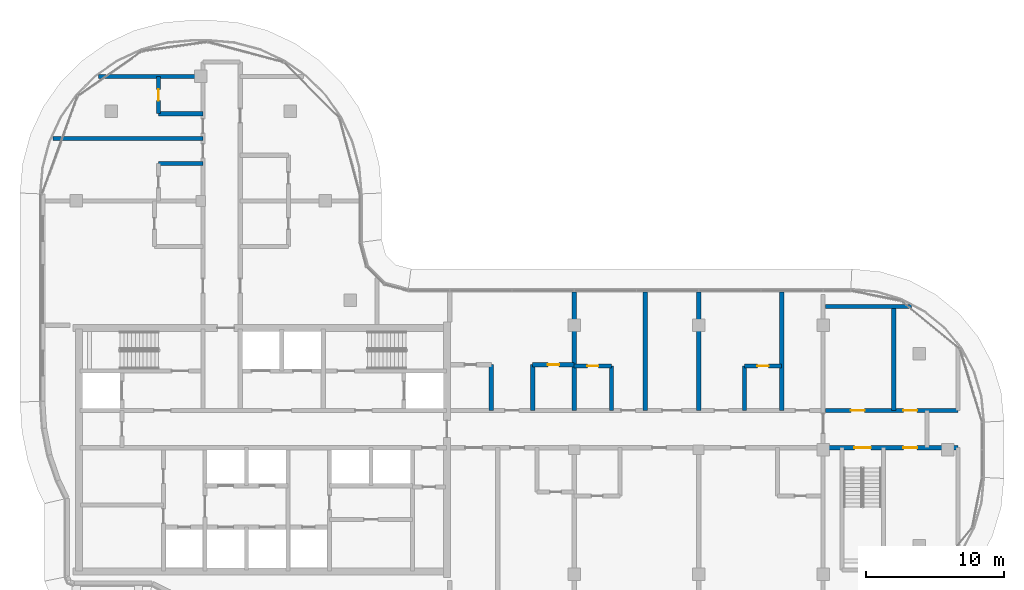
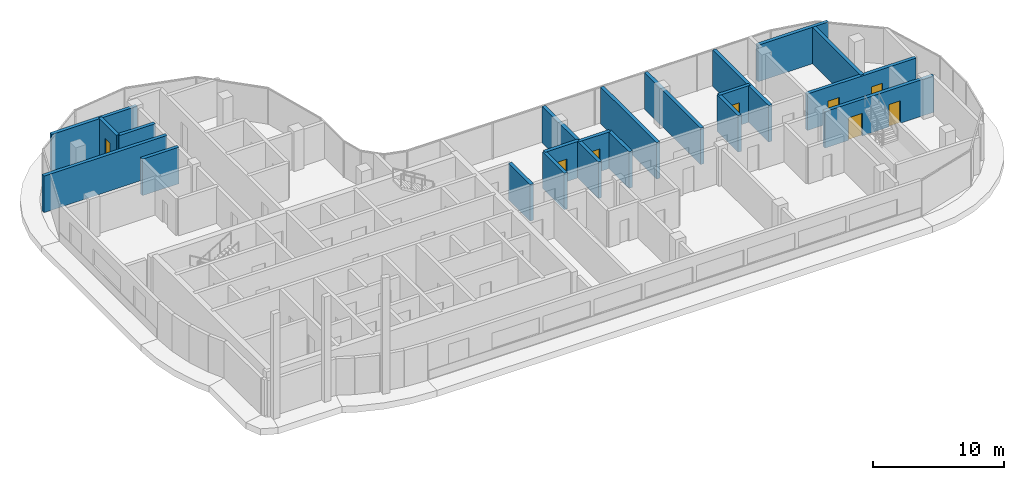
# One storey, part 12 of 20: 20 walls, 8 doors, 8 openings.
"""IFC4 building model written with IfcOpenShell, lengths in metres."""

from ifc_helpers import new_model, si_unit, direction, frame, frame_2d, origin, place, context, subcontext, project, spatial, rectangle, extrude, material, layer, layer_set, type_object, element, fill, save


model = new_model("IFC4")

# Units and contexts
model_context = context("Model", 3, precision=1e-05, world=origin(), true_north=direction((0.0, 1.0)))
body_context = subcontext(model_context, "Body", "Model", "MODEL_VIEW")
ifc_project = project(units=[si_unit("LENGTHUNIT", "METRE"), si_unit("AREAUNIT", "SQUARE_METRE"), si_unit("VOLUMEUNIT", "CUBIC_METRE"), si_unit("PLANEANGLEUNIT", "RADIAN"), si_unit("MASSUNIT", "GRAM", prefix="KILO")], contexts=[model_context])

# Site, building, storey
site_placement = place(None, origin())
site = spatial("IfcSite", under=ifc_project, at=site_placement, CompositionType="ELEMENT")
building_placement = place(site_placement, origin())
building = spatial("IfcBuilding", under=site, at=building_placement, Name="Ogive Portal Towers", CompositionType="ELEMENT")
storey_placement = place(building_placement, frame((0.0, 0.0, 232.800048828125)))
storey = spatial("IfcBuildingStorey", under=building, at=storey_placement, Name="L58", CompositionType="ELEMENT", Elevation=232.800048828125)

# Wall, openings, doors
ifc_material_1 = material(Name="Concrete C50/60", Category="concrete")
ifc_layer_1 = layer(ifc_material_1, 0.300048828125)
ifc_layer_set_1 = layer_set([ifc_layer_1], Name="STAIR WALL 300 C50")
wall_type_1 = type_object("IfcWallType", Name="STAIR WALL 300 C50", PredefinedType="SHEAR", material=ifc_layer_set_1)
wall_1_placement = place(storey_placement, frame((85.669921875, 30.64990234375, 0.0), z_axis=(0.0, 0.0, 1.0), x_axis=(1.0, 0.0, 0.0)))
wall_1 = element("IfcWall", 1, at=wall_1_placement, inside=storey, type_object=wall_type_1, Name="Stair wall ST-A4 L58", PredefinedType="SHEAR", context=body_context, shape_type="SweptSolid", body=[
    extrude(rectangle(XDim=9.580078125, YDim=0.300048828125, at=frame_2d((4.7900390625, 0.0))), origin(), (0.0, 0.0, 1.0), 3.39990234375),
])
opening_1_placement = place(wall_1_placement, frame((2.080078125, 0.0, 0.0)))
opening_1 = element("IfcOpeningElement", 2, at=opening_1_placement, cuts=wall_1, Name="Opening D26-052", PredefinedType="OPENING", context=body_context, shape_type="SweptSolid", body=[
    extrude(rectangle(XDim=1.199951171875, YDim=2.10009765625, at=frame_2d((0.60009765625, 1.050048828125))), frame((0.0, 0.16015625, 0.0), z_axis=(0.0, -1.0, 0.0), x_axis=(1.0, 0.0, 0.0)), (0.0, 0.0, 1.0), 0.320068359375),
])
opening_2_placement = place(wall_1_placement, frame((5.6298828125, 0.0, 0.0)))
opening_2 = element("IfcOpeningElement", 3, at=opening_2_placement, cuts=wall_1, Name="Opening D26-055", PredefinedType="OPENING", context=body_context, shape_type="SweptSolid", body=[
    extrude(rectangle(XDim=1.0, YDim=2.10009765625, at=frame_2d((0.5, 1.050048828125))), frame((0.0, 0.16015625, 0.0), z_axis=(0.0, -1.0, 0.0), x_axis=(1.0, 0.0, 0.0)), (0.0, 0.0, 1.0), 0.320068359375),
])
ifc_material_2 = material(Name="Steel fire door", Category="steel")
door_type_1 = type_object("IfcDoorType", Name="DT-SERVICE-1000x2100-FD90S", OperationType="SINGLE_SWING_LEFT", PredefinedType="DOOR", material=ifc_material_2)
door_1_placement = place(opening_2_placement, origin())
door_1 = element("IfcDoor", 4, at=door_1_placement, inside=storey, type_object=door_type_1, Name="Door D26-055", OperationType="SINGLE_SWING_LEFT", OverallHeight=2.10009765625, OverallWidth=1.0, PredefinedType="DOOR", context=body_context, shape_type="SweptSolid", body=[
    extrude(rectangle(XDim=1.0, YDim=2.10009765625, at=frame_2d((0.5, 1.050048828125))), frame((0.0, 0.02490234375, 0.0), z_axis=(0.0, -1.0, 0.0), x_axis=(1.0, 0.0, 0.0)), (0.0, 0.0, 1.0), 0.050048828125),
])
fill(opening_2, door_1)
door_type_2 = type_object("IfcDoorType", Name="DT-STAIR-1200x2100-FD90S", OperationType="SINGLE_SWING_LEFT", PredefinedType="DOOR", material=ifc_material_2)
door_2_placement = place(opening_1_placement, origin())
door_2 = element("IfcDoor", 5, at=door_2_placement, inside=storey, type_object=door_type_2, Name="Door D26-052", OperationType="SINGLE_SWING_LEFT", OverallHeight=2.10009765625, OverallWidth=1.199951171875, PredefinedType="DOOR", context=body_context, shape_type="SweptSolid", body=[
    extrude(rectangle(XDim=1.199951171875, YDim=2.10009765625, at=frame_2d((0.60009765625, 1.050048828125))), frame((0.0, 0.02490234375, 0.0), z_axis=(0.0, -1.0, 0.0), x_axis=(1.0, 0.0, 0.0)), (0.0, 0.0, 1.0), 0.050048828125),
])
fill(opening_1, door_2)

ifc_material_3 = material(Name="Gypsum board partition on steel studs", Category="steel")
ifc_layer_2 = layer(ifc_material_3, 0.300048828125)
ifc_layer_set_2 = layer_set([ifc_layer_2], Name="WT-PART-300-EI 120")
wall_type_2 = type_object("IfcWallType", Name="WT-PART-300-EI 120", PredefinedType="PARTITIONING", material=ifc_layer_set_2)
wall_2_placement = place(storey_placement, frame((85.669921875, 33.35009765625, 0.0), z_axis=(0.0, 0.0, 1.0), x_axis=(1.0, 0.0, 0.0)))
wall_2 = element("IfcWall", 6, at=wall_2_placement, inside=storey, type_object=wall_type_2, Name="Wall L58:w008", PredefinedType="PARTITIONING", context=body_context, shape_type="SweptSolid", body=[
    extrude(rectangle(XDim=9.580078125, YDim=0.300048828125, at=frame_2d((4.7900390625, 0.0))), origin(), (0.0, 0.0, 1.0), 3.39990234375),
])
opening_3_placement = place(wall_2_placement, frame((1.830078125, 0.0, 0.0)))
opening_3 = element("IfcOpeningElement", 7, at=opening_3_placement, cuts=wall_2, Name="Opening D26-053", PredefinedType="OPENING", context=body_context, shape_type="SweptSolid", body=[
    extrude(rectangle(XDim=1.0, YDim=2.10009765625, at=frame_2d((0.5, 1.050048828125))), frame((0.0, 0.16015625, 0.0), z_axis=(0.0, -1.0, 0.0), x_axis=(1.0, 0.0, 0.0)), (0.0, 0.0, 1.0), 0.320068359375),
])
opening_4_placement = place(wall_2_placement, frame((5.6298828125, 0.0, 0.0)))
opening_4 = element("IfcOpeningElement", 8, at=opening_4_placement, cuts=wall_2, Name="Opening D26-054", PredefinedType="OPENING", context=body_context, shape_type="SweptSolid", body=[
    extrude(rectangle(XDim=1.0, YDim=2.10009765625, at=frame_2d((0.5, 1.050048828125))), frame((0.0, 0.16015625, 0.0), z_axis=(0.0, -1.0, 0.0), x_axis=(1.0, 0.0, 0.0)), (0.0, 0.0, 1.0), 0.320068359375),
])
door_3_placement = place(opening_3_placement, origin())
door_3 = element("IfcDoor", 9, at=door_3_placement, inside=storey, type_object=door_type_1, Name="Door D26-053", OperationType="SINGLE_SWING_LEFT", OverallHeight=2.10009765625, OverallWidth=1.0, PredefinedType="DOOR", context=body_context, shape_type="SweptSolid", body=[
    extrude(rectangle(XDim=1.0, YDim=2.10009765625, at=frame_2d((0.5, 1.050048828125))), frame((0.0, 0.02490234375, 0.0), z_axis=(0.0, -1.0, 0.0), x_axis=(1.0, 0.0, 0.0)), (0.0, 0.0, 1.0), 0.050048828125),
])
fill(opening_3, door_3)
door_4_placement = place(opening_4_placement, origin())
door_4 = element("IfcDoor", 10, at=door_4_placement, inside=storey, type_object=door_type_1, Name="Riser access door D26-054", OperationType="SINGLE_SWING_RIGHT", OverallHeight=2.10009765625, OverallWidth=1.0, PredefinedType="DOOR", context=body_context, shape_type="SweptSolid", body=[
    extrude(rectangle(XDim=1.0, YDim=2.10009765625, at=frame_2d((0.5, 1.050048828125))), frame((0.0, 0.02490234375, 0.0), z_axis=(0.0, -1.0, 0.0), x_axis=(1.0, 0.0, 0.0)), (0.0, 0.0, 1.0), 0.050048828125),
])
fill(opening_4, door_4)

# Wall, opening, door
ifc_layer_3 = layer(ifc_material_3, 0.300048828125)
ifc_layer_set_3 = layer_set([ifc_layer_3], Name="WT-PART-300-EI 60")
wall_type_3 = type_object("IfcWallType", Name="WT-PART-300-EI 60", PredefinedType="PARTITIONING", material=ifc_layer_set_3)
wall_3_placement = place(storey_placement, frame((67.5, 36.550048828125, 0.0), z_axis=(0.0, 0.0, 1.0), x_axis=(1.0, 0.0, 0.0)))
wall_3 = element("IfcWall", 11, at=wall_3_placement, inside=storey, type_object=wall_type_3, Name="Wall L58:w009", PredefinedType="PARTITIONING", context=body_context, shape_type="SweptSolid", body=[
    extrude(rectangle(XDim=2.699951171875, YDim=0.300048828125, at=frame_2d((1.35009765625, 0.0))), origin(), (0.0, 0.0, 1.0), 3.39990234375),
])
opening_5_placement = place(wall_3_placement, frame((0.949951171875, 0.0, 0.0)))
opening_5 = element("IfcOpeningElement", 12, at=opening_5_placement, cuts=wall_3, Name="Opening D26-032", PredefinedType="OPENING", context=body_context, shape_type="SweptSolid", body=[
    extrude(rectangle(XDim=0.800048828125, YDim=2.10009765625, at=frame_2d((0.39990234375, 1.050048828125))), frame((0.0, 0.16015625, 0.0), z_axis=(0.0, -1.0, 0.0), x_axis=(1.0, 0.0, 0.0)), (0.0, 0.0, 1.0), 0.320068359375),
])
door_type_3 = type_object("IfcDoorType", Name="DT-BATH-800x2100-FD60S", OperationType="SINGLE_SWING_LEFT", PredefinedType="DOOR", material=ifc_material_2)
door_5_placement = place(opening_5_placement, origin())
door_5 = element("IfcDoor", 13, at=door_5_placement, inside=storey, type_object=door_type_3, Name="Door D26-032", OperationType="SINGLE_SWING_LEFT", OverallHeight=2.10009765625, OverallWidth=0.800048828125, PredefinedType="DOOR", context=body_context, shape_type="SweptSolid", body=[
    extrude(rectangle(XDim=0.800048828125, YDim=2.10009765625, at=frame_2d((0.39990234375, 1.050048828125))), frame((0.0, 0.02490234375, 0.0), z_axis=(0.0, -1.0, 0.0), x_axis=(1.0, 0.0, 0.0)), (0.0, 0.0, 1.0), 0.050048828125),
])
fill(opening_5, door_5)

wall_4_placement = place(storey_placement, frame((79.800048828125, 36.550048828125, 0.0), z_axis=(0.0, 0.0, 1.0), x_axis=(1.0, 0.0, 0.0)))
wall_4 = element("IfcWall", 14, at=wall_4_placement, inside=storey, type_object=wall_type_3, Name="Wall L58:w010", PredefinedType="PARTITIONING", context=body_context, shape_type="SweptSolid", body=[
    extrude(rectangle(XDim=2.699951171875, YDim=0.300048828125, at=frame_2d((1.35009765625, 0.0))), origin(), (0.0, 0.0, 1.0), 3.39990234375),
])
opening_6_placement = place(wall_4_placement, frame((0.949951171875, 0.0, 0.0)))
opening_6 = element("IfcOpeningElement", 15, at=opening_6_placement, cuts=wall_4, Name="Opening D26-037", PredefinedType="OPENING", context=body_context, shape_type="SweptSolid", body=[
    extrude(rectangle(XDim=0.800048828125, YDim=2.10009765625, at=frame_2d((0.39990234375, 1.050048828125))), frame((0.0, 0.16015625, 0.0), z_axis=(0.0, -1.0, 0.0), x_axis=(1.0, 0.0, 0.0)), (0.0, 0.0, 1.0), 0.320068359375),
])
door_6_placement = place(opening_6_placement, origin())
door_6 = element("IfcDoor", 16, at=door_6_placement, inside=storey, type_object=door_type_3, Name="Door D26-037", OperationType="SINGLE_SWING_LEFT", OverallHeight=2.10009765625, OverallWidth=0.800048828125, PredefinedType="DOOR", context=body_context, shape_type="SweptSolid", body=[
    extrude(rectangle(XDim=0.800048828125, YDim=2.10009765625, at=frame_2d((0.39990234375, 1.050048828125))), frame((0.0, 0.02490234375, 0.0), z_axis=(0.0, -1.0, 0.0), x_axis=(1.0, 0.0, 0.0)), (0.0, 0.0, 1.0), 0.050048828125),
])
fill(opening_6, door_6)

wall_5_placement = place(storey_placement, frame((64.5, 36.64990234375, 0.0), z_axis=(0.0, 0.0, 1.0), x_axis=(1.0, 0.0, 0.0)))
wall_5 = element("IfcWall", 17, at=wall_5_placement, inside=storey, type_object=wall_type_3, Name="Wall L58:w012", PredefinedType="PARTITIONING", context=body_context, shape_type="SweptSolid", body=[
    extrude(rectangle(XDim=3.0, YDim=0.300048828125, at=frame_2d((1.5, 0.0))), origin(), (0.0, 0.0, 1.0), 3.39990234375),
])
opening_7_placement = place(wall_5_placement, frame((1.10009765625, 0.0, 0.0)))
opening_7 = element("IfcOpeningElement", 18, at=opening_7_placement, cuts=wall_5, Name="Opening D26-027", PredefinedType="OPENING", context=body_context, shape_type="SweptSolid", body=[
    extrude(rectangle(XDim=0.800048828125, YDim=2.10009765625, at=frame_2d((0.39990234375, 1.050048828125))), frame((0.0, 0.16015625, 0.0), z_axis=(0.0, -1.0, 0.0), x_axis=(1.0, 0.0, 0.0)), (0.0, 0.0, 1.0), 0.320068359375),
])
door_7_placement = place(opening_7_placement, origin())
door_7 = element("IfcDoor", 19, at=door_7_placement, inside=storey, type_object=door_type_3, Name="Door D26-027", OperationType="SINGLE_SWING_RIGHT", OverallHeight=2.10009765625, OverallWidth=0.800048828125, PredefinedType="DOOR", context=body_context, shape_type="SweptSolid", body=[
    extrude(rectangle(XDim=0.800048828125, YDim=2.10009765625, at=frame_2d((0.39990234375, 1.050048828125))), frame((0.0, 0.02490234375, 0.0), z_axis=(0.0, -1.0, 0.0), x_axis=(1.0, 0.0, 0.0)), (0.0, 0.0, 1.0), 0.050048828125),
])
fill(opening_7, door_7)

# Walls
wall_6_placement = place(storey_placement, frame((85.669921875, 40.85009765625, 0.0), z_axis=(0.0, 0.0, 1.0), x_axis=(1.0, 0.0, 0.0)))
element("IfcWall", 20, at=wall_6_placement, inside=storey, type_object=wall_type_3, Name="Wall L58:w014", PredefinedType="PARTITIONING", context=body_context, shape_type="SweptSolid", body=[
    extrude(rectangle(XDim=6.2001953125, YDim=0.300048828125, at=frame_2d((3.10009765625, 0.0))), origin(), (0.0, 0.0, 1.0), 3.39990234375),
])
wall_7_placement = place(storey_placement, frame((37.449951171875, 51.199951171875, 0.0), z_axis=(0.0, 0.0, 1.0), x_axis=(1.0, 0.0, 0.0)))
element("IfcWall", 21, at=wall_7_placement, inside=storey, type_object=wall_type_3, Name="Wall L58:w019", PredefinedType="PARTITIONING", context=body_context, shape_type="SweptSolid", body=[
    extrude(rectangle(XDim=3.199951171875, YDim=0.300048828125, at=frame_2d((1.60009765625, 0.0))), origin(), (0.0, 0.0, 1.0), 3.39990234375),
])
wall_8_placement = place(storey_placement, frame((29.81201171875, 53.0, 0.0), z_axis=(0.0, 0.0, 1.0), x_axis=(1.0, 0.0, 0.0)))
element("IfcWall", 22, at=wall_8_placement, inside=storey, type_object=wall_type_3, Name="Wall L58:w021", PredefinedType="PARTITIONING", context=body_context, shape_type="SweptSolid", body=[
    extrude(rectangle(XDim=10.837890625, YDim=0.300048828125, at=frame_2d((5.4189453125, 0.0))), origin(), (0.0, 0.0, 1.0), 3.39990234375),
])
wall_9_placement = place(storey_placement, frame((37.449951171875, 54.800048828125, 0.0), z_axis=(0.0, 0.0, 1.0), x_axis=(1.0, 0.0, 0.0)))
element("IfcWall", 23, at=wall_9_placement, inside=storey, type_object=wall_type_3, Name="Wall L58:w022", PredefinedType="PARTITIONING", context=body_context, shape_type="SweptSolid", body=[
    extrude(rectangle(XDim=3.199951171875, YDim=0.300048828125, at=frame_2d((1.60009765625, 0.0))), origin(), (0.0, 0.0, 1.0), 3.39990234375),
])
wall_10_placement = place(storey_placement, frame((33.087890625, 57.5, 0.0), z_axis=(0.0, 0.0, 1.0), x_axis=(1.0, 0.0, 0.0)))
element("IfcWall", 24, at=wall_10_placement, inside=storey, type_object=wall_type_3, Name="Wall L58:w023", PredefinedType="PARTITIONING", context=body_context, shape_type="SweptSolid", body=[
    extrude(rectangle(XDim=7.56201171875, YDim=0.300048828125, at=frame_2d((3.781005859375, 0.0))), origin(), (0.0, 0.0, 1.0), 3.39990234375),
])

# Wall, opening, door
wall_11_placement = place(storey_placement, frame((37.449951171875, 54.800048828125, 0.0), z_axis=(0.0, 0.0, 1.0), x_axis=(0.0, 1.0, 0.0)))
wall_11 = element("IfcWall", 25, at=wall_11_placement, inside=storey, type_object=wall_type_3, Name="Wall L58:w028", PredefinedType="PARTITIONING", context=body_context, shape_type="SweptSolid", body=[
    extrude(rectangle(XDim=2.699951171875, YDim=0.300048828125, at=frame_2d((1.35009765625, 0.0))), origin(), (0.0, 0.0, 1.0), 3.39990234375),
])
opening_8_placement = place(wall_11_placement, frame((0.949951171875, 0.0, 0.0)))
opening_8 = element("IfcOpeningElement", 26, at=opening_8_placement, cuts=wall_11, Name="Opening D26-050", PredefinedType="OPENING", context=body_context, shape_type="SweptSolid", body=[
    extrude(rectangle(XDim=0.800048828125, YDim=2.10009765625, at=frame_2d((0.39990234375, 1.050048828125))), frame((0.0, 0.16015625, 0.0), z_axis=(0.0, -1.0, 0.0), x_axis=(1.0, 0.0, 0.0)), (0.0, 0.0, 1.0), 0.320068359375),
])
door_8_placement = place(opening_8_placement, origin())
door_8 = element("IfcDoor", 27, at=door_8_placement, inside=storey, type_object=door_type_3, Name="Door D26-050", OperationType="SINGLE_SWING_LEFT", OverallHeight=2.10009765625, OverallWidth=0.800048828125, PredefinedType="DOOR", context=body_context, shape_type="SweptSolid", body=[
    extrude(rectangle(XDim=0.800048828125, YDim=2.10009765625, at=frame_2d((0.39990234375, 1.050048828125))), frame((0.0, 0.02490234375, 0.0), z_axis=(0.0, -1.0, 0.0), x_axis=(1.0, 0.0, 0.0)), (0.0, 0.0, 1.0), 0.050048828125),
])
fill(opening_8, door_8)

# Walls
for number, where, z_axis, x_axis, name in (
    (28, (61.5, 33.35009765625, 0.0), (0.0, 0.0, 1.0), (0.0, 1.0, 0.0), "Wall L58:w035"),
    (29, (64.5, 33.35009765625, 0.0), (0.0, 0.0, 1.0), (0.0, 1.0, 0.0), "Wall L58:w037"),
):
    element("IfcWall", number, at=place(storey_placement, frame(where, z_axis=z_axis, x_axis=x_axis)), inside=storey, type_object=wall_type_3, Name=name, PredefinedType="PARTITIONING", context=body_context, shape_type="SweptSolid", body=[
        extrude(rectangle(XDim=3.2998046875, YDim=0.300048828125, at=frame_2d((1.64990234375, 0.0))), origin(), (0.0, 0.0, 1.0), 3.39990234375),
    ])
wall_12_placement = place(storey_placement, frame((67.5, 33.35009765625, 0.0), z_axis=(0.0, 0.0, 1.0), x_axis=(0.0, 1.0, 0.0)))
element("IfcWall", 30, at=wall_12_placement, inside=storey, type_object=wall_type_3, Name="Wall L58:w040", PredefinedType="PARTITIONING", context=body_context, shape_type="SweptSolid", body=[
    extrude(rectangle(XDim=8.554931640625, YDim=0.300048828125, at=frame_2d((4.27734375, 0.0))), origin(), (0.0, 0.0, 1.0), 3.39990234375),
])
wall_13_placement = place(storey_placement, frame((70.199951171875, 33.35009765625, 0.0), z_axis=(0.0, 0.0, 1.0), x_axis=(0.0, 1.0, 0.0)))
element("IfcWall", 31, at=wall_13_placement, inside=storey, type_object=wall_type_3, Name="Wall L58:w041", PredefinedType="PARTITIONING", context=body_context, shape_type="SweptSolid", body=[
    extrude(rectangle(XDim=3.199951171875, YDim=0.300048828125, at=frame_2d((1.60009765625, 0.0))), origin(), (0.0, 0.0, 1.0), 3.39990234375),
])
for number, where, z_axis, x_axis, name in (
    (32, (72.6298828125, 33.35009765625, 0.0), (0.0, 0.0, 1.0), (0.0, 1.0, 0.0), "Wall L58:w043"),
    (33, (76.5, 33.35009765625, 0.0), (0.0, 0.0, 1.0), (0.0, 1.0, 0.0), "Wall L58:w045"),
):
    element("IfcWall", number, at=place(storey_placement, frame(where, z_axis=z_axis, x_axis=x_axis)), inside=storey, type_object=wall_type_3, Name=name, PredefinedType="PARTITIONING", context=body_context, shape_type="SweptSolid", body=[
        extrude(rectangle(XDim=8.554931640625, YDim=0.300048828125, at=frame_2d((4.27734375, 0.0))), origin(), (0.0, 0.0, 1.0), 3.39990234375),
    ])
wall_14_placement = place(storey_placement, frame((79.800048828125, 33.35009765625, 0.0), z_axis=(0.0, 0.0, 1.0), x_axis=(0.0, 1.0, 0.0)))
element("IfcWall", 34, at=wall_14_placement, inside=storey, type_object=wall_type_3, Name="Wall L58:w046", PredefinedType="PARTITIONING", context=body_context, shape_type="SweptSolid", body=[
    extrude(rectangle(XDim=3.199951171875, YDim=0.300048828125, at=frame_2d((1.60009765625, 0.0))), origin(), (0.0, 0.0, 1.0), 3.39990234375),
])
wall_15_placement = place(storey_placement, frame((82.5, 33.35009765625, 0.0), z_axis=(0.0, 0.0, 1.0), x_axis=(0.0, 1.0, 0.0)))
element("IfcWall", 35, at=wall_15_placement, inside=storey, type_object=wall_type_3, Name="Wall L58:w048", PredefinedType="PARTITIONING", context=body_context, shape_type="SweptSolid", body=[
    extrude(rectangle(XDim=8.554931640625, YDim=0.300048828125, at=frame_2d((4.27734375, 0.0))), origin(), (0.0, 0.0, 1.0), 3.39990234375),
])
wall_16_placement = place(storey_placement, frame((90.60009765625, 33.35009765625, 0.0), z_axis=(0.0, 0.0, 1.0), x_axis=(0.0, 1.0, 0.0)))
element("IfcWall", 36, at=wall_16_placement, inside=storey, type_object=wall_type_3, Name="Wall L58:w051", PredefinedType="PARTITIONING", context=body_context, shape_type="SweptSolid", body=[
    extrude(rectangle(XDim=7.5, YDim=0.300048828125, at=frame_2d((3.75, 0.0))), origin(), (0.0, 0.0, 1.0), 3.39990234375),
])

save(model, "model.ifc")
